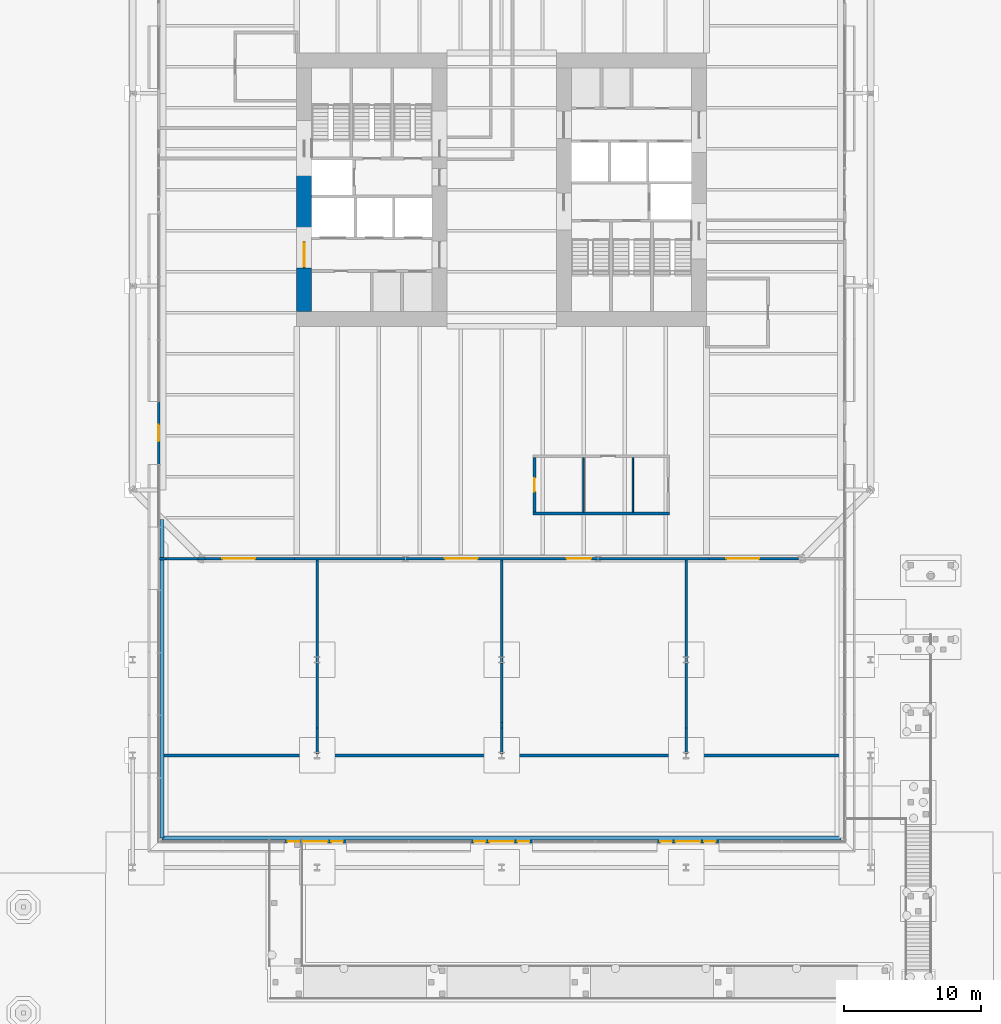
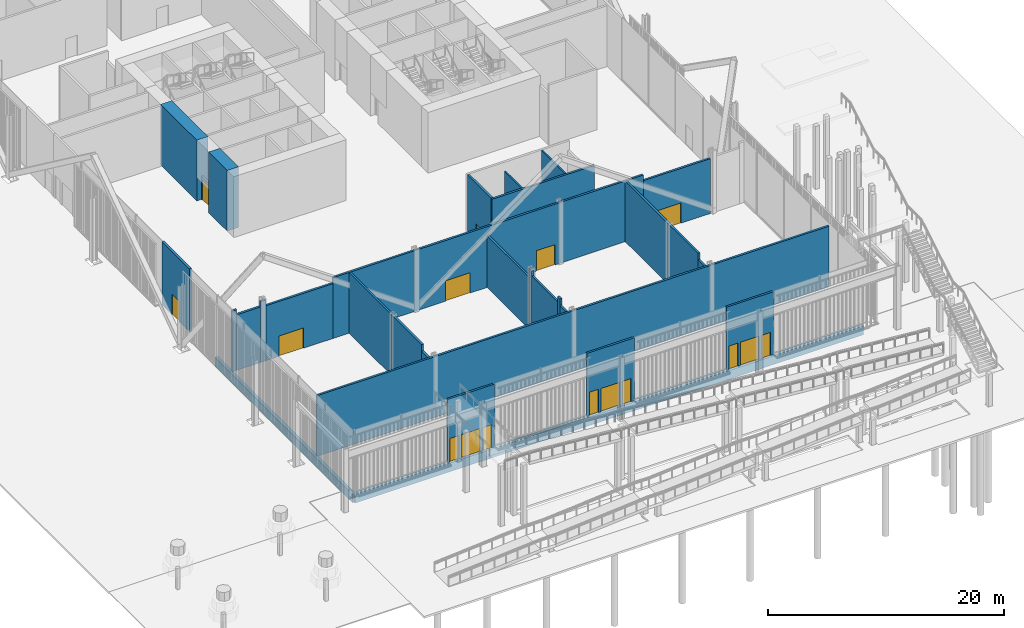
# One storey, part 14 of 28: 29 walls, 10 doors, 6 windows, 16 openings.
"""IFC4 building model written with IfcOpenShell, lengths in metres."""

from ifc_helpers import new_model, si_unit, direction, frame, frame_2d, origin, place, context, subcontext, project, spatial, rectangle, extrude, material, layer, layer_set, type_object, element, fill, save


model = new_model("IFC4")

# Units and contexts
model_context = context("Model", 3, precision=1e-05, world=origin(), true_north=direction((0.0, 1.0)))
body_context = subcontext(model_context, "Body", "Model", "MODEL_VIEW")
ifc_project = project(units=[si_unit("LENGTHUNIT", "METRE"), si_unit("AREAUNIT", "SQUARE_METRE"), si_unit("VOLUMEUNIT", "CUBIC_METRE"), si_unit("PLANEANGLEUNIT", "RADIAN"), si_unit("MASSUNIT", "GRAM", prefix="KILO")], contexts=[model_context])

# Site, building, storey
site_placement = place(None, origin())
site = spatial("IfcSite", under=ifc_project, at=site_placement, CompositionType="ELEMENT")
building_placement = place(site_placement, origin())
building = spatial("IfcBuilding", under=site, at=building_placement, Name="Millrace Tower", CompositionType="ELEMENT")
storey_placement = place(building_placement, origin())
storey = spatial("IfcBuildingStorey", under=building, at=storey_placement, Name="L01", CompositionType="ELEMENT", Elevation=0.0)

# Walls
ifc_material_1 = material(Name="Concrete C80", Category="concrete")
ifc_layer_1 = layer(ifc_material_1, 1.10009765625)
ifc_layer_set_1 = layer_set([ifc_layer_1], Name="Concrete C80")
wall_type_1 = type_object("IfcWallType", Name="Core wall 1100 Concrete C80", PredefinedType="SHEAR", material=ifc_layer_set_1)
wall_1_placement = place(storey_placement, frame((-14.449951171875, -8.89990234375, 0.0), z_axis=(0.0, 0.0, 1.0), x_axis=(0.0, 1.0, 0.0)))
element("IfcWall", 1, at=wall_1_placement, inside=storey, type_object=wall_type_1, Name="Core wall W L01", PredefinedType="SHEAR", context=body_context, shape_type="SweptSolid", body=[
    extrude(rectangle(XDim=3.14990234375, YDim=1.10009765625, at=frame_2d((1.574951171875, 0.0))), origin(), (0.0, 0.0, 1.0), 6.27490234375),
])
wall_2_placement = place(storey_placement, frame((-14.449951171875, -3.75, 0.0), z_axis=(0.0, 0.0, 1.0), x_axis=(0.0, 1.0, 0.0)))
element("IfcWall", 2, at=wall_2_placement, inside=storey, type_object=wall_type_1, Name="Core wall W L01", PredefinedType="SHEAR", context=body_context, shape_type="SweptSolid", body=[
    extrude(rectangle(XDim=6.1298828125, YDim=1.10009765625, at=frame_2d((3.06494140625, 0.0))), origin(), (0.0, 0.0, 1.0), 6.27490234375),
])
ifc_material_2 = material(Name="Masonry partition, fire-rated", Category="masonry")
ifc_layer_2 = layer(ifc_material_2, 0.199951171875)
ifc_layer_set_2 = layer_set([ifc_layer_2], Name="Masonry partition, fire-rated")
wall_type_2 = type_object("IfcWallType", Name="Corridor wall 200", PredefinedType="PARTITIONING", material=ifc_layer_set_2)
wall_3_placement = place(storey_placement, frame((-25.030029296875, -41.39990234375, 0.0), z_axis=(0.0, 0.0, 1.0), x_axis=(1.0, 0.0, 0.0)))
element("IfcWall", 3, at=wall_3_placement, inside=storey, type_object=wall_type_2, Name="Corridor wall L01", PredefinedType="PARTITIONING", context=body_context, shape_type="SweptSolid", body=[
    extrude(rectangle(XDim=50.06005859375, YDim=0.199951171875, at=frame_2d((25.030029296875, 0.0))), origin(), (0.0, 0.0, 1.0), 6.27490234375),
])
wall_4_placement = place(storey_placement, frame((-25.030029296875, -27.0, 0.0), z_axis=(0.0, 0.0, 1.0), x_axis=(1.0, 0.0, 0.0)))
element("IfcWall", 4, at=wall_4_placement, inside=storey, type_object=wall_type_2, Name="Corridor wall L01", PredefinedType="PARTITIONING", context=body_context, shape_type="SweptSolid", body=[
    extrude(rectangle(XDim=0.45166015625, YDim=0.199951171875, at=frame_2d((0.225830078125, 0.0))), origin(), (0.0, 0.0, 1.0), 6.27490234375),
])
wall_5_placement = place(storey_placement, frame((-24.578369140625, -27.0, 0.0), z_axis=(0.0, 0.0, 1.0), x_axis=(1.0, 0.0, 0.0)))
element("IfcWall", 5, at=wall_5_placement, inside=storey, type_object=wall_type_2, Name="Corridor wall L01", PredefinedType="PARTITIONING", context=body_context, shape_type="SweptSolid", body=[
    extrude(rectangle(XDim=2.343994140625, YDim=0.199951171875, at=frame_2d((1.171875, 0.0))), origin(), (0.0, 0.0, 1.0), 5.749267578125),
])
wall_6_placement = place(storey_placement, frame((-22.234375, -27.0, 0.0), z_axis=(0.0, 0.0, 1.0), x_axis=(1.0, 0.0, 0.0)))
element("IfcWall", 6, at=wall_6_placement, inside=storey, type_object=wall_type_2, Name="Corridor wall L01", PredefinedType="PARTITIONING", context=body_context, shape_type="SweptSolid", body=[
    extrude(rectangle(XDim=0.515869140625, YDim=0.199951171875, at=frame_2d((0.2578125, 0.0))), origin(), (0.0, 0.0, 1.0), 6.27490234375),
])

# Wall, opening, door
wall_7_placement = place(storey_placement, frame((-21.718505859375, -27.0, 0.0), z_axis=(0.0, 0.0, 1.0), x_axis=(1.0, 0.0, 0.0)))
wall_7 = element("IfcWall", 7, at=wall_7_placement, inside=storey, type_object=wall_type_2, Name="Corridor wall L01", PredefinedType="PARTITIONING", context=body_context, shape_type="SweptSolid", body=[
    extrude(rectangle(XDim=6.554443359375, YDim=0.199951171875, at=frame_2d((3.27734375, 0.0))), origin(), (0.0, 0.0, 1.0), 5.675537109375),
])
opening_1_placement = place(wall_7_placement, frame((1.2783203125, 0.0, 0.0)))
opening_1 = element("IfcOpeningElement", 8, at=opening_1_placement, cuts=wall_7, Name="Opening 01-P012", PredefinedType="OPENING", context=body_context, shape_type="SweptSolid", body=[
    extrude(rectangle(XDim=2.39990234375, YDim=2.10009765625, at=frame_2d((1.199951171875, 1.050048828125))), frame((0.0, 0.10986328125, 0.0), z_axis=(0.0, -1.0, 0.0), x_axis=(1.0, 0.0, 0.0)), (0.0, 0.0, 1.0), 0.219970703125),
])
ifc_material_3 = material(Name="Steel door set, fire-rated", Category="steel")
door_type_1 = type_object("IfcDoorType", Name="Corridor door 2400 x 2100", OperationType="DOUBLE_DOOR_SINGLE_SWING", PredefinedType="DOOR", material=ifc_material_3)
door_1_placement = place(opening_1_placement, origin())
door_1 = element("IfcDoor", 9, at=door_1_placement, inside=storey, type_object=door_type_1, Name="Door 01-P012", OperationType="DOUBLE_DOOR_SINGLE_SWING", OverallHeight=2.10009765625, OverallWidth=2.39990234375, PredefinedType="DOOR", context=body_context, shape_type="SweptSolid", body=[
    extrude(rectangle(XDim=2.39990234375, YDim=2.10009765625, at=frame_2d((1.199951171875, 1.050048828125))), frame((0.0, 0.02490234375, 0.0), z_axis=(0.0, -1.0, 0.0), x_axis=(1.0, 0.0, 0.0)), (0.0, 0.0, 1.0), 0.050048828125),
])
fill(opening_1, door_1)

# Wall, openings, doors
wall_8_placement = place(storey_placement, frame((-15.1640625, -27.0, 0.0), z_axis=(0.0, 0.0, 1.0), x_axis=(1.0, 0.0, 0.0)))
wall_8 = element("IfcWall", 10, at=wall_8_placement, inside=storey, type_object=wall_type_2, Name="Corridor wall L01", PredefinedType="PARTITIONING", context=body_context, shape_type="SweptSolid", body=[
    extrude(rectangle(XDim=30.328125, YDim=0.199951171875, at=frame_2d((15.1640625, 0.0))), origin(), (0.0, 0.0, 1.0), 6.27490234375),
])
opening_2_placement = place(wall_8_placement, frame((11.01416015625, 0.0, 0.0)))
opening_2 = element("IfcOpeningElement", 11, at=opening_2_placement, cuts=wall_8, Name="Opening 01-P013", PredefinedType="OPENING", context=body_context, shape_type="SweptSolid", body=[
    extrude(rectangle(XDim=2.39990234375, YDim=2.10009765625, at=frame_2d((1.199951171875, 1.050048828125))), frame((0.0, 0.10986328125, 0.0), z_axis=(0.0, -1.0, 0.0), x_axis=(1.0, 0.0, 0.0)), (0.0, 0.0, 1.0), 0.219970703125),
])
opening_3_placement = place(wall_8_placement, frame((19.9140625, 0.0, 0.0)))
opening_3 = element("IfcOpeningElement", 12, at=opening_3_placement, cuts=wall_8, Name="Opening 01-P014", PredefinedType="OPENING", context=body_context, shape_type="SweptSolid", body=[
    extrude(rectangle(XDim=1.800048828125, YDim=2.10009765625, at=frame_2d((0.89990234375, 1.050048828125))), frame((0.0, 0.10986328125, 0.0), z_axis=(0.0, -1.0, 0.0), x_axis=(1.0, 0.0, 0.0)), (0.0, 0.0, 1.0), 0.219970703125),
])
ifc_material_4 = material(Name="Steel door set, fire-rated", Category="steel")
door_type_2 = type_object("IfcDoorType", Name="Corridor door 1800 x 2100", OperationType="DOUBLE_DOOR_SINGLE_SWING", PredefinedType="DOOR", material=ifc_material_4)
door_2_placement = place(opening_3_placement, origin())
door_2 = element("IfcDoor", 13, at=door_2_placement, inside=storey, type_object=door_type_2, Name="Door 01-P014", OperationType="DOUBLE_DOOR_SINGLE_SWING", OverallHeight=2.10009765625, OverallWidth=1.800048828125, PredefinedType="DOOR", context=body_context, shape_type="SweptSolid", body=[
    extrude(rectangle(XDim=1.800048828125, YDim=2.10009765625, at=frame_2d((0.89990234375, 1.050048828125))), frame((0.0, 0.02490234375, 0.0), z_axis=(0.0, -1.0, 0.0), x_axis=(1.0, 0.0, 0.0)), (0.0, 0.0, 1.0), 0.050048828125),
])
fill(opening_3, door_2)
door_3_placement = place(opening_2_placement, origin())
door_3 = element("IfcDoor", 14, at=door_3_placement, inside=storey, type_object=door_type_1, Name="Door 01-P013", OperationType="DOUBLE_DOOR_SINGLE_SWING", OverallHeight=2.10009765625, OverallWidth=2.39990234375, PredefinedType="DOOR", context=body_context, shape_type="SweptSolid", body=[
    extrude(rectangle(XDim=2.39990234375, YDim=2.10009765625, at=frame_2d((1.199951171875, 1.050048828125))), frame((0.0, 0.02490234375, 0.0), z_axis=(0.0, -1.0, 0.0), x_axis=(1.0, 0.0, 0.0)), (0.0, 0.0, 1.0), 0.050048828125),
])
fill(opening_2, door_3)

# Wall, opening, door
wall_9_placement = place(storey_placement, frame((15.1640625, -27.0, 0.0), z_axis=(0.0, 0.0, 1.0), x_axis=(1.0, 0.0, 0.0)))
wall_9 = element("IfcWall", 15, at=wall_9_placement, inside=storey, type_object=wall_type_2, Name="Corridor wall L01", PredefinedType="PARTITIONING", context=body_context, shape_type="SweptSolid", body=[
    extrude(rectangle(XDim=6.554443359375, YDim=0.199951171875, at=frame_2d((3.27734375, 0.0))), origin(), (0.0, 0.0, 1.0), 5.675537109375),
])
opening_4_placement = place(wall_9_placement, frame((1.27587890625, 0.0, 0.0)))
opening_4 = element("IfcOpeningElement", 16, at=opening_4_placement, cuts=wall_9, Name="Opening 01-P015", PredefinedType="OPENING", context=body_context, shape_type="SweptSolid", body=[
    extrude(rectangle(XDim=2.39990234375, YDim=2.10009765625, at=frame_2d((1.199951171875, 1.050048828125))), frame((0.0, 0.10986328125, 0.0), z_axis=(0.0, -1.0, 0.0), x_axis=(1.0, 0.0, 0.0)), (0.0, 0.0, 1.0), 0.219970703125),
])
door_4_placement = place(opening_4_placement, origin())
door_4 = element("IfcDoor", 17, at=door_4_placement, inside=storey, type_object=door_type_1, Name="Door 01-P015", OperationType="DOUBLE_DOOR_SINGLE_SWING", OverallHeight=2.10009765625, OverallWidth=2.39990234375, PredefinedType="DOOR", context=body_context, shape_type="SweptSolid", body=[
    extrude(rectangle(XDim=2.39990234375, YDim=2.10009765625, at=frame_2d((1.199951171875, 1.050048828125))), frame((0.0, 0.02490234375, 0.0), z_axis=(0.0, -1.0, 0.0), x_axis=(1.0, 0.0, 0.0)), (0.0, 0.0, 1.0), 0.050048828125),
])
fill(opening_4, door_4)

# Walls
wall_10_placement = place(storey_placement, frame((2.300048828125, -23.699951171875, 0.0), z_axis=(0.0, 0.0, 1.0), x_axis=(1.0, 0.0, 0.0)))
element("IfcWall", 18, at=wall_10_placement, inside=storey, type_object=wall_type_2, Name="Corridor wall L01", PredefinedType="PARTITIONING", context=body_context, shape_type="SweptSolid", body=[
    extrude(rectangle(XDim=10.0, YDim=0.199951171875, at=frame_2d((5.0, 0.0))), origin(), (0.0, 0.0, 1.0), 6.27490234375),
])
wall_11_placement = place(storey_placement, frame((13.5, -41.300048828125, 0.0), z_axis=(0.0, 0.0, 1.0), x_axis=(0.0, 1.0, 0.0)))
element("IfcWall", 19, at=wall_11_placement, inside=storey, type_object=wall_type_2, Name="Corridor wall L01", PredefinedType="PARTITIONING", context=body_context, shape_type="SweptSolid", body=[
    extrude(rectangle(XDim=1.900146484375, YDim=0.199951171875, at=frame_2d((0.9501953125, 0.0))), origin(), (0.0, 0.0, 1.0), 5.5927734375),
])
wall_12_placement = place(storey_placement, frame((13.5, -39.39990234375, 0.0), z_axis=(0.0, 0.0, 1.0), x_axis=(0.0, 1.0, 0.0)))
element("IfcWall", 20, at=wall_12_placement, inside=storey, type_object=wall_type_2, Name="Corridor wall L01", PredefinedType="PARTITIONING", context=body_context, shape_type="SweptSolid", body=[
    extrude(rectangle(XDim=12.2998046875, YDim=0.199951171875, at=frame_2d((6.14990234375, 0.0))), origin(), (0.0, 0.0, 1.0), 6.27490234375),
])

# Wall, opening, door
wall_13_placement = place(storey_placement, frame((2.39990234375, -23.60009765625, 0.0), z_axis=(0.0, 0.0, 1.0), x_axis=(0.0, 1.0, 0.0)))
wall_13 = element("IfcWall", 21, at=wall_13_placement, inside=storey, type_object=wall_type_2, Name="Corridor wall L01", PredefinedType="PARTITIONING", context=body_context, shape_type="SweptSolid", body=[
    extrude(rectangle(XDim=4.0, YDim=0.199951171875, at=frame_2d((2.0, 0.0))), origin(), (0.0, 0.0, 1.0), 6.27490234375),
])
opening_5_placement = place(wall_13_placement, frame((1.5, 0.0, 0.0)))
opening_5 = element("IfcOpeningElement", 22, at=opening_5_placement, cuts=wall_13, Name="Opening 01-P009", PredefinedType="OPENING", context=body_context, shape_type="SweptSolid", body=[
    extrude(rectangle(XDim=1.0, YDim=2.10009765625, at=frame_2d((0.5, 1.050048828125))), frame((0.0, 0.10986328125, 0.0), z_axis=(0.0, -1.0, 0.0), x_axis=(1.0, 0.0, 0.0)), (0.0, 0.0, 1.0), 0.219970703125),
])
ifc_material_5 = material(Name="Steel door set, fire-rated", Category="steel")
door_type_3 = type_object("IfcDoorType", Name="Corridor door 1000 x 2100", OperationType="SINGLE_SWING_LEFT", PredefinedType="DOOR", material=ifc_material_5)
door_5_placement = place(opening_5_placement, frame((1.0, 0.0, 0.0), z_axis=(0.0, 0.0, 1.0), x_axis=(-1.0, 0.0, 0.0)))
door_5 = element("IfcDoor", 23, at=door_5_placement, inside=storey, type_object=door_type_3, Name="Door 01-P009", OperationType="SINGLE_SWING_LEFT", OverallHeight=2.10009765625, OverallWidth=1.0, PredefinedType="DOOR", context=body_context, shape_type="SweptSolid", body=[
    extrude(rectangle(XDim=1.0, YDim=2.10009765625, at=frame_2d((0.5, 1.050048828125))), frame((0.0, 0.02490234375, 0.0), z_axis=(0.0, -1.0, 0.0), x_axis=(1.0, 0.0, 0.0)), (0.0, 0.0, 1.0), 0.050048828125),
])
fill(opening_5, door_5)

# Walls
wall_14_placement = place(storey_placement, frame((0.0, -41.300048828125, 0.0), z_axis=(0.0, 0.0, 1.0), x_axis=(0.0, 1.0, 0.0)))
element("IfcWall", 24, at=wall_14_placement, inside=storey, type_object=wall_type_2, Name="Corridor wall L01", PredefinedType="PARTITIONING", context=body_context, shape_type="SweptSolid", body=[
    extrude(rectangle(XDim=1.900146484375, YDim=0.199951171875, at=frame_2d((0.9501953125, 0.0))), origin(), (0.0, 0.0, 1.0), 5.5927734375),
])
wall_15_placement = place(storey_placement, frame((0.0, -39.39990234375, 0.0), z_axis=(0.0, 0.0, 1.0), x_axis=(0.0, 1.0, 0.0)))
element("IfcWall", 25, at=wall_15_placement, inside=storey, type_object=wall_type_2, Name="Corridor wall L01", PredefinedType="PARTITIONING", context=body_context, shape_type="SweptSolid", body=[
    extrude(rectangle(XDim=0.421630859375, YDim=0.199951171875, at=frame_2d((0.2109375, 0.0))), origin(), (0.0, 0.0, 1.0), 6.27490234375),
])
wall_16_placement = place(storey_placement, frame((0.0, -38.978271484375, 0.0), z_axis=(0.0, 0.0, 1.0), x_axis=(0.0, 1.0, 0.0)))
element("IfcWall", 26, at=wall_16_placement, inside=storey, type_object=wall_type_2, Name="Corridor wall L01", PredefinedType="PARTITIONING", context=body_context, shape_type="SweptSolid", body=[
    extrude(rectangle(XDim=4.326171875, YDim=0.199951171875, at=frame_2d((2.1630859375, 0.0))), origin(), (0.0, 0.0, 1.0), 5.749267578125),
])
wall_17_placement = place(storey_placement, frame((0.0, -34.652099609375, 0.0), z_axis=(0.0, 0.0, 1.0), x_axis=(0.0, 1.0, 0.0)))
element("IfcWall", 27, at=wall_17_placement, inside=storey, type_object=wall_type_2, Name="Corridor wall L01", PredefinedType="PARTITIONING", context=body_context, shape_type="SweptSolid", body=[
    extrude(rectangle(XDim=0.504150390625, YDim=0.199951171875, at=frame_2d((0.251953125, 0.0))), origin(), (0.0, 0.0, 1.0), 6.27490234375),
])
wall_18_placement = place(storey_placement, frame((0.0, -34.14794921875, 0.0), z_axis=(0.0, 0.0, 1.0), x_axis=(0.0, 1.0, 0.0)))
element("IfcWall", 28, at=wall_18_placement, inside=storey, type_object=wall_type_2, Name="Corridor wall L01", PredefinedType="PARTITIONING", context=body_context, shape_type="SweptSolid", body=[
    extrude(rectangle(XDim=7.0478515625, YDim=0.199951171875, at=frame_2d((3.52392578125, 0.0))), origin(), (0.0, 0.0, 1.0), 5.347900390625),
])
wall_19_placement = place(storey_placement, frame((-13.5, -41.300048828125, 0.0), z_axis=(0.0, 0.0, 1.0), x_axis=(0.0, 1.0, 0.0)))
element("IfcWall", 29, at=wall_19_placement, inside=storey, type_object=wall_type_2, Name="Corridor wall L01", PredefinedType="PARTITIONING", context=body_context, shape_type="SweptSolid", body=[
    extrude(rectangle(XDim=1.900146484375, YDim=0.199951171875, at=frame_2d((0.9501953125, 0.0))), origin(), (0.0, 0.0, 1.0), 5.5927734375),
])
wall_20_placement = place(storey_placement, frame((-13.5, -39.39990234375, 0.0), z_axis=(0.0, 0.0, 1.0), x_axis=(0.0, 1.0, 0.0)))
element("IfcWall", 30, at=wall_20_placement, inside=storey, type_object=wall_type_2, Name="Corridor wall L01", PredefinedType="PARTITIONING", context=body_context, shape_type="SweptSolid", body=[
    extrude(rectangle(XDim=12.2998046875, YDim=0.199951171875, at=frame_2d((6.14990234375, 0.0))), origin(), (0.0, 0.0, 1.0), 6.27490234375),
])

# Wall, openings, windows, door
ifc_material_6 = material(Name="Aluminium framed glazing", Category="aluminium")
ifc_layer_3 = layer(ifc_material_6, 0.199951171875)
ifc_layer_set_3 = layer_set([ifc_layer_3], Name="Aluminium framed glazing")
wall_type_3 = type_object("IfcWallType", Name="Entrance infill wall 200 thick", PredefinedType="STANDARD", material=ifc_layer_set_3)
wall_21_placement = place(storey_placement, frame((-15.9091796875, -47.699951171875, 0.0), z_axis=(0.0, 0.0, 1.0), x_axis=(1.0, 0.0, 0.0)))
wall_21 = element("IfcWall", 31, at=wall_21_placement, inside=storey, type_object=wall_type_3, Name="Entrance infill wall AW1-F01 3", PredefinedType="STANDARD", context=body_context, shape_type="SweptSolid", body=[
    extrude(rectangle(XDim=4.62060546875, YDim=0.199951171875, at=frame_2d((2.310302734375, 0.0))), origin(), (0.0, 0.0, 1.0), 6.5),
])
opening_6_placement = place(wall_21_placement, frame((1.372802734375, 0.0, 0.0)))
opening_6 = element("IfcOpeningElement", 32, at=opening_6_placement, cuts=wall_21, Name="Opening 01-X001", PredefinedType="OPENING", context=body_context, shape_type="SweptSolid", body=[
    extrude(rectangle(XDim=1.800048828125, YDim=2.39990234375, at=frame_2d((0.89990234375, 1.199951171875))), frame((0.0, 0.10986328125, 0.0), z_axis=(0.0, -1.0, 0.0), x_axis=(1.0, 0.0, 0.0)), (0.0, 0.0, 1.0), 0.219970703125),
])
opening_7_placement = place(wall_21_placement, frame((0.25, 0.0, 0.0)))
opening_7 = element("IfcOpeningElement", 33, at=opening_7_placement, cuts=wall_21, Name="Opening WN1", PredefinedType="OPENING", context=body_context, shape_type="SweptSolid", body=[
    extrude(rectangle(XDim=0.85009765625, YDim=2.39990234375, at=frame_2d((0.425048828125, 1.199951171875))), frame((0.0, 0.10986328125, 0.0), z_axis=(0.0, -1.0, 0.0), x_axis=(1.0, 0.0, 0.0)), (0.0, 0.0, 1.0), 0.219970703125),
])
opening_8_placement = place(wall_21_placement, frame((3.445556640625, 0.0, 0.0)))
opening_8 = element("IfcOpeningElement", 34, at=opening_8_placement, cuts=wall_21, Name="Opening WN1", PredefinedType="OPENING", context=body_context, shape_type="SweptSolid", body=[
    extrude(rectangle(XDim=0.85009765625, YDim=2.39990234375, at=frame_2d((0.425048828125, 1.199951171875))), frame((0.0, 0.10986328125, 0.0), z_axis=(0.0, -1.0, 0.0), x_axis=(1.0, 0.0, 0.0)), (0.0, 0.0, 1.0), 0.219970703125),
])
ifc_material_7 = material(Name="Aluminium and laminated glass", Category="aluminium")
window_type = type_object("IfcWindowType", Name="Entrance sidelight window 850 x 2400", PartitioningType="SINGLE_PANEL", PredefinedType="WINDOW", material=ifc_material_7)
window_1_placement = place(opening_7_placement, origin())
window_1 = element("IfcWindow", 35, at=window_1_placement, inside=storey, type_object=window_type, Name="Entrance sidelight window AW1-F01.3 W", OverallHeight=2.39990234375, OverallWidth=0.85009765625, PartitioningType="SINGLE_PANEL", PredefinedType="WINDOW", context=body_context, shape_type="SweptSolid", body=[
    extrude(rectangle(XDim=0.85009765625, YDim=2.39990234375, at=frame_2d((0.425048828125, 1.199951171875))), frame((0.0, 0.030029296875, 0.0), z_axis=(0.0, -1.0, 0.0), x_axis=(1.0, 0.0, 0.0)), (0.0, 0.0, 1.0), 0.06005859375),
])
fill(opening_7, window_1)
window_2_placement = place(opening_8_placement, origin())
window_2 = element("IfcWindow", 36, at=window_2_placement, inside=storey, type_object=window_type, Name="Entrance sidelight window AW1-F01.3 E", OverallHeight=2.39990234375, OverallWidth=0.85009765625, PartitioningType="SINGLE_PANEL", PredefinedType="WINDOW", context=body_context, shape_type="SweptSolid", body=[
    extrude(rectangle(XDim=0.85009765625, YDim=2.39990234375, at=frame_2d((0.425048828125, 1.199951171875))), frame((0.0, 0.030029296875, 0.0), z_axis=(0.0, -1.0, 0.0), x_axis=(1.0, 0.0, 0.0)), (0.0, 0.0, 1.0), 0.06005859375),
])
fill(opening_8, window_2)
ifc_material_8 = material(Name="Aluminium and glass", Category="aluminium")
door_type_4 = type_object("IfcDoorType", Name="Garden pavilion double door", OperationType="DOUBLE_DOOR_DOUBLE_SWING", PredefinedType="DOOR", material=ifc_material_8)
door_6_placement = place(opening_6_placement, frame((1.800048828125, 0.0, 0.0), z_axis=(0.0, 0.0, 1.0), x_axis=(-1.0, 0.0, 0.0)))
door_6 = element("IfcDoor", 37, at=door_6_placement, inside=storey, type_object=door_type_4, Name="01-X001", OperationType="DOUBLE_DOOR_DOUBLE_SWING", OverallHeight=2.39990234375, OverallWidth=1.800048828125, PredefinedType="DOOR", context=body_context, shape_type="SweptSolid", body=[
    extrude(rectangle(XDim=1.800048828125, YDim=2.39990234375, at=frame_2d((0.89990234375, 1.199951171875))), frame((0.0, 0.02490234375, 0.0), z_axis=(0.0, -1.0, 0.0), x_axis=(1.0, 0.0, 0.0)), (0.0, 0.0, 1.0), 0.050048828125),
])
fill(opening_6, door_6)

wall_22_placement = place(storey_placement, frame((-2.272705078125, -47.699951171875, 0.0), z_axis=(0.0, 0.0, 1.0), x_axis=(1.0, 0.0, 0.0)))
wall_22 = element("IfcWall", 38, at=wall_22_placement, inside=storey, type_object=wall_type_3, Name="Entrance infill wall AW1-F01 6", PredefinedType="STANDARD", context=body_context, shape_type="SweptSolid", body=[
    extrude(rectangle(XDim=4.620361328125, YDim=0.199951171875, at=frame_2d((2.31005859375, 0.0))), origin(), (0.0, 0.0, 1.0), 6.5),
])
opening_9_placement = place(wall_22_placement, frame((1.372802734375, 0.0, 0.0)))
opening_9 = element("IfcOpeningElement", 39, at=opening_9_placement, cuts=wall_22, Name="Opening 01-X002", PredefinedType="OPENING", context=body_context, shape_type="SweptSolid", body=[
    extrude(rectangle(XDim=1.800048828125, YDim=2.39990234375, at=frame_2d((0.89990234375, 1.199951171875))), frame((0.0, 0.10986328125, 0.0), z_axis=(0.0, -1.0, 0.0), x_axis=(1.0, 0.0, 0.0)), (0.0, 0.0, 1.0), 0.219970703125),
])
opening_10_placement = place(wall_22_placement, frame((0.25, 0.0, 0.0)))
opening_10 = element("IfcOpeningElement", 40, at=opening_10_placement, cuts=wall_22, Name="Opening WN1", PredefinedType="OPENING", context=body_context, shape_type="SweptSolid", body=[
    extrude(rectangle(XDim=0.85009765625, YDim=2.39990234375, at=frame_2d((0.425048828125, 1.199951171875))), frame((0.0, 0.10986328125, 0.0), z_axis=(0.0, -1.0, 0.0), x_axis=(1.0, 0.0, 0.0)), (0.0, 0.0, 1.0), 0.219970703125),
])
opening_11_placement = place(wall_22_placement, frame((3.445556640625, 0.0, 0.0)))
opening_11 = element("IfcOpeningElement", 41, at=opening_11_placement, cuts=wall_22, Name="Opening WN1", PredefinedType="OPENING", context=body_context, shape_type="SweptSolid", body=[
    extrude(rectangle(XDim=0.85009765625, YDim=2.39990234375, at=frame_2d((0.425048828125, 1.199951171875))), frame((0.0, 0.10986328125, 0.0), z_axis=(0.0, -1.0, 0.0), x_axis=(1.0, 0.0, 0.0)), (0.0, 0.0, 1.0), 0.219970703125),
])
window_3_placement = place(opening_10_placement, origin())
window_3 = element("IfcWindow", 42, at=window_3_placement, inside=storey, type_object=window_type, Name="Entrance sidelight window AW1-F01.6 W", OverallHeight=2.39990234375, OverallWidth=0.85009765625, PartitioningType="SINGLE_PANEL", PredefinedType="WINDOW", context=body_context, shape_type="SweptSolid", body=[
    extrude(rectangle(XDim=0.85009765625, YDim=2.39990234375, at=frame_2d((0.425048828125, 1.199951171875))), frame((0.0, 0.030029296875, 0.0), z_axis=(0.0, -1.0, 0.0), x_axis=(1.0, 0.0, 0.0)), (0.0, 0.0, 1.0), 0.06005859375),
])
fill(opening_10, window_3)
window_4_placement = place(opening_11_placement, origin())
window_4 = element("IfcWindow", 43, at=window_4_placement, inside=storey, type_object=window_type, Name="Entrance sidelight window AW1-F01.6 E", OverallHeight=2.39990234375, OverallWidth=0.85009765625, PartitioningType="SINGLE_PANEL", PredefinedType="WINDOW", context=body_context, shape_type="SweptSolid", body=[
    extrude(rectangle(XDim=0.85009765625, YDim=2.39990234375, at=frame_2d((0.425048828125, 1.199951171875))), frame((0.0, 0.030029296875, 0.0), z_axis=(0.0, -1.0, 0.0), x_axis=(1.0, 0.0, 0.0)), (0.0, 0.0, 1.0), 0.06005859375),
])
fill(opening_11, window_4)
door_7_placement = place(opening_9_placement, frame((1.800048828125, 0.0, 0.0), z_axis=(0.0, 0.0, 1.0), x_axis=(-1.0, 0.0, 0.0)))
door_7 = element("IfcDoor", 44, at=door_7_placement, inside=storey, type_object=door_type_4, Name="01-X002", OperationType="DOUBLE_DOOR_DOUBLE_SWING", OverallHeight=2.39990234375, OverallWidth=1.800048828125, PredefinedType="DOOR", context=body_context, shape_type="SweptSolid", body=[
    extrude(rectangle(XDim=1.800048828125, YDim=2.39990234375, at=frame_2d((0.89990234375, 1.199951171875))), frame((0.0, 0.02490234375, 0.0), z_axis=(0.0, -1.0, 0.0), x_axis=(1.0, 0.0, 0.0)), (0.0, 0.0, 1.0), 0.050048828125),
])
fill(opening_9, door_7)

wall_23_placement = place(storey_placement, frame((11.363525390625, -47.699951171875, 0.0), z_axis=(0.0, 0.0, 1.0), x_axis=(1.0, 0.0, 0.0)))
wall_23 = element("IfcWall", 45, at=wall_23_placement, inside=storey, type_object=wall_type_3, Name="Entrance infill wall AW1-F01 9", PredefinedType="STANDARD", context=body_context, shape_type="SweptSolid", body=[
    extrude(rectangle(XDim=4.62060546875, YDim=0.199951171875, at=frame_2d((2.310302734375, 0.0))), origin(), (0.0, 0.0, 1.0), 6.5),
])
opening_12_placement = place(wall_23_placement, frame((1.372802734375, 0.0, 0.0)))
opening_12 = element("IfcOpeningElement", 46, at=opening_12_placement, cuts=wall_23, Name="Opening 01-X003", PredefinedType="OPENING", context=body_context, shape_type="SweptSolid", body=[
    extrude(rectangle(XDim=1.800048828125, YDim=2.39990234375, at=frame_2d((0.89990234375, 1.199951171875))), frame((0.0, 0.10986328125, 0.0), z_axis=(0.0, -1.0, 0.0), x_axis=(1.0, 0.0, 0.0)), (0.0, 0.0, 1.0), 0.219970703125),
])
opening_13_placement = place(wall_23_placement, frame((0.25, 0.0, 0.0)))
opening_13 = element("IfcOpeningElement", 47, at=opening_13_placement, cuts=wall_23, Name="Opening WN1", PredefinedType="OPENING", context=body_context, shape_type="SweptSolid", body=[
    extrude(rectangle(XDim=0.85009765625, YDim=2.39990234375, at=frame_2d((0.425048828125, 1.199951171875))), frame((0.0, 0.10986328125, 0.0), z_axis=(0.0, -1.0, 0.0), x_axis=(1.0, 0.0, 0.0)), (0.0, 0.0, 1.0), 0.219970703125),
])
opening_14_placement = place(wall_23_placement, frame((3.445556640625, 0.0, 0.0)))
opening_14 = element("IfcOpeningElement", 48, at=opening_14_placement, cuts=wall_23, Name="Opening WN1", PredefinedType="OPENING", context=body_context, shape_type="SweptSolid", body=[
    extrude(rectangle(XDim=0.85009765625, YDim=2.39990234375, at=frame_2d((0.425048828125, 1.199951171875))), frame((0.0, 0.10986328125, 0.0), z_axis=(0.0, -1.0, 0.0), x_axis=(1.0, 0.0, 0.0)), (0.0, 0.0, 1.0), 0.219970703125),
])
window_5_placement = place(opening_13_placement, origin())
window_5 = element("IfcWindow", 49, at=window_5_placement, inside=storey, type_object=window_type, Name="Entrance sidelight window AW1-F01.9 W", OverallHeight=2.39990234375, OverallWidth=0.85009765625, PartitioningType="SINGLE_PANEL", PredefinedType="WINDOW", context=body_context, shape_type="SweptSolid", body=[
    extrude(rectangle(XDim=0.85009765625, YDim=2.39990234375, at=frame_2d((0.425048828125, 1.199951171875))), frame((0.0, 0.030029296875, 0.0), z_axis=(0.0, -1.0, 0.0), x_axis=(1.0, 0.0, 0.0)), (0.0, 0.0, 1.0), 0.06005859375),
])
fill(opening_13, window_5)
window_6_placement = place(opening_14_placement, origin())
window_6 = element("IfcWindow", 50, at=window_6_placement, inside=storey, type_object=window_type, Name="Entrance sidelight window AW1-F01.9 E", OverallHeight=2.39990234375, OverallWidth=0.85009765625, PartitioningType="SINGLE_PANEL", PredefinedType="WINDOW", context=body_context, shape_type="SweptSolid", body=[
    extrude(rectangle(XDim=0.85009765625, YDim=2.39990234375, at=frame_2d((0.425048828125, 1.199951171875))), frame((0.0, 0.030029296875, 0.0), z_axis=(0.0, -1.0, 0.0), x_axis=(1.0, 0.0, 0.0)), (0.0, 0.0, 1.0), 0.06005859375),
])
fill(opening_14, window_6)
door_8_placement = place(opening_12_placement, frame((1.800048828125, 0.0, 0.0), z_axis=(0.0, 0.0, 1.0), x_axis=(-1.0, 0.0, 0.0)))
door_8 = element("IfcDoor", 51, at=door_8_placement, inside=storey, type_object=door_type_4, Name="01-X003", OperationType="DOUBLE_DOOR_DOUBLE_SWING", OverallHeight=2.39990234375, OverallWidth=1.800048828125, PredefinedType="DOOR", context=body_context, shape_type="SweptSolid", body=[
    extrude(rectangle(XDim=1.800048828125, YDim=2.39990234375, at=frame_2d((0.89990234375, 1.199951171875))), frame((0.0, 0.02490234375, 0.0), z_axis=(0.0, -1.0, 0.0), x_axis=(1.0, 0.0, 0.0)), (0.0, 0.0, 1.0), 0.050048828125),
])
fill(opening_12, door_8)

# Wall, opening, door
wall_24_placement = place(storey_placement, frame((-25.10009765625, -15.5166015625, 0.0), z_axis=(0.0, 0.0, 1.0), x_axis=(0.0, -1.0, 0.0)))
wall_24 = element("IfcWall", 52, at=wall_24_placement, inside=storey, type_object=wall_type_3, Name="Entrance infill wall AW1-F06 9", PredefinedType="STANDARD", context=body_context, shape_type="SweptSolid", body=[
    extrude(rectangle(XDim=4.658447265625, YDim=0.199951171875, at=frame_2d((2.3291015625, 0.0))), origin(), (0.0, 0.0, 1.0), 6.5),
])
opening_15_placement = place(wall_24_placement, frame((1.691650390625, 0.0, 0.0)))
opening_15 = element("IfcOpeningElement", 53, at=opening_15_placement, cuts=wall_24, Name="Opening 01-X016", PredefinedType="OPENING", context=body_context, shape_type="SweptSolid", body=[
    extrude(rectangle(XDim=1.199951171875, YDim=2.10009765625, at=frame_2d((0.60009765625, 1.050048828125))), frame((0.0, 0.10986328125, 0.0), z_axis=(0.0, -1.0, 0.0), x_axis=(1.0, 0.0, 0.0)), (0.0, 0.0, 1.0), 0.219970703125),
])
ifc_material_9 = material(Name="Steel", Category="steel")
door_type_5 = type_object("IfcDoorType", Name="Exit door to the plaza", OperationType="SINGLE_SWING_RIGHT", PredefinedType="DOOR", material=ifc_material_9)
door_9_placement = place(opening_15_placement, frame((1.199951171875, 0.0, 0.0), z_axis=(0.0, 0.0, 1.0), x_axis=(-1.0, 0.0, 0.0)))
door_9 = element("IfcDoor", 54, at=door_9_placement, inside=storey, type_object=door_type_5, Name="01-X016", OperationType="SINGLE_SWING_RIGHT", OverallHeight=2.10009765625, OverallWidth=1.199951171875, PredefinedType="DOOR", context=body_context, shape_type="SweptSolid", body=[
    extrude(rectangle(XDim=1.199951171875, YDim=2.10009765625, at=frame_2d((0.60009765625, 1.050048828125))), frame((0.0, 0.02490234375, 0.0), z_axis=(0.0, -1.0, 0.0), x_axis=(1.0, 0.0, 0.0)), (0.0, 0.0, 1.0), 0.050048828125),
])
fill(opening_15, door_9)

# Walls
ifc_material_10 = material(Name="Concrete C35", Category="concrete")
ifc_layer_4 = layer(ifc_material_10, 0.300048828125)
ifc_layer_set_4 = layer_set([ifc_layer_4], Name="Concrete C35")
wall_type_4 = type_object("IfcWallType", Name="Frost wall 300 mm", PredefinedType="SOLIDWALL", material=ifc_layer_set_4)
wall_25_placement = place(storey_placement, frame((-24.85009765625, -47.449951171875, -1.199951171875), z_axis=(0.0, 0.0, 1.0), x_axis=(0.0, 1.0, 0.0)))
element("IfcWall", 55, at=wall_25_placement, inside=storey, type_object=wall_type_4, Name="BW-A-L01-F01", PredefinedType="SOLIDWALL", context=body_context, shape_type="SweptSolid", body=[
    extrude(rectangle(XDim=23.321533203125, YDim=0.300048828125, at=frame_2d((11.66064453125, 0.0))), origin(), (0.0, 0.0, 1.0), 0.89990234375),
])
wall_26_placement = place(storey_placement, frame((24.85009765625, -47.449951171875, -1.199951171875), z_axis=(0.0, 0.0, 1.0), x_axis=(-1.0, 0.0, 0.0)))
element("IfcWall", 56, at=wall_26_placement, inside=storey, type_object=wall_type_4, Name="BW-A-L01-F03", PredefinedType="SOLIDWALL", context=body_context, shape_type="SweptSolid", body=[
    extrude(rectangle(XDim=49.7001953125, YDim=0.300048828125, at=frame_2d((24.85009765625, 0.0))), origin(), (0.0, 0.0, 1.0), 0.89990234375),
])

# Wall, opening, door
ifc_material_11 = material(Name="Masonry partition, fire-rated", Category="masonry")
ifc_layer_5 = layer(ifc_material_11, 0.199951171875)
ifc_layer_set_5 = layer_set([ifc_layer_5], Name="Masonry partition, fire-rated")
wall_type_5 = type_object("IfcWallType", Name="Lobby wall 200", PredefinedType="PARTITIONING", material=ifc_layer_set_5)
wall_27_placement = place(storey_placement, frame((-14.449951171875, -5.75, 0.0), z_axis=(0.0, 0.0, 1.0), x_axis=(0.0, 1.0, 0.0)))
wall_27 = element("IfcWall", 57, at=wall_27_placement, inside=storey, type_object=wall_type_5, Name="Lobby wall W L01", PredefinedType="PARTITIONING", context=body_context, shape_type="SweptSolid", body=[
    extrude(rectangle(XDim=2.0, YDim=0.199951171875, at=frame_2d((1.0, 0.0))), origin(), (0.0, 0.0, 1.0), 2.39990234375),
])
opening_16_placement = place(wall_27_placement, frame((0.10009765625, 0.0, 0.0)))
opening_16 = element("IfcOpeningElement", 58, at=opening_16_placement, cuts=wall_27, Name="Opening 01-C001", PredefinedType="OPENING", context=body_context, shape_type="SweptSolid", body=[
    extrude(rectangle(XDim=1.800048828125, YDim=2.10009765625, at=frame_2d((0.89990234375, 1.050048828125))), frame((0.0, 0.10986328125, 0.0), z_axis=(0.0, -1.0, 0.0), x_axis=(1.0, 0.0, 0.0)), (0.0, 0.0, 1.0), 0.219970703125),
])
ifc_material_12 = material(Name="Steel door, fire-rated", Category="steel")
door_type_6 = type_object("IfcDoorType", Name="Lobby door 1800 x 2100", OperationType="DOUBLE_DOOR_SINGLE_SWING", PredefinedType="DOOR", material=ifc_material_12)
door_10_placement = place(opening_16_placement, origin())
door_10 = element("IfcDoor", 59, at=door_10_placement, inside=storey, type_object=door_type_6, Name="Lobby door 01-C001", OperationType="DOUBLE_DOOR_SINGLE_SWING", OverallHeight=2.10009765625, OverallWidth=1.800048828125, PredefinedType="DOOR", context=body_context, shape_type="SweptSolid", body=[
    extrude(rectangle(XDim=1.800048828125, YDim=2.10009765625, at=frame_2d((0.89990234375, 1.050048828125))), frame((0.0, 0.02490234375, 0.0), z_axis=(0.0, -1.0, 0.0), x_axis=(1.0, 0.0, 0.0)), (0.0, 0.0, 1.0), 0.050048828125),
])
fill(opening_16, door_10)

# Walls
ifc_material_13 = material(Name="Gypsum board partition")
ifc_layer_6 = layer(ifc_material_13, 0.1201171875)
ifc_layer_set_6 = layer_set([ifc_layer_6], Name="Gypsum board partition")
wall_type_6 = type_object("IfcWallType", Name="Partition wall 120", PredefinedType="PARTITIONING", material=ifc_layer_set_6)
wall_28_placement = place(storey_placement, frame((9.60009765625, -23.60009765625, 0.0), z_axis=(0.0, 0.0, 1.0), x_axis=(0.0, 1.0, 0.0)))
element("IfcWall", 60, at=wall_28_placement, inside=storey, type_object=wall_type_6, Name="Partition wall L01", PredefinedType="PARTITIONING", context=body_context, shape_type="SweptSolid", body=[
    extrude(rectangle(XDim=4.0, YDim=0.1201171875, at=frame_2d((2.0, 0.0))), origin(), (0.0, 0.0, 1.0), 6.27490234375),
])
wall_29_placement = place(storey_placement, frame((6.0, -23.60009765625, 0.0), z_axis=(0.0, 0.0, 1.0), x_axis=(0.0, 1.0, 0.0)))
element("IfcWall", 61, at=wall_29_placement, inside=storey, type_object=wall_type_6, Name="Partition wall L01", PredefinedType="PARTITIONING", context=body_context, shape_type="SweptSolid", body=[
    extrude(rectangle(XDim=4.0, YDim=0.1201171875, at=frame_2d((2.0, 0.0))), origin(), (0.0, 0.0, 1.0), 5.347900390625),
])

save(model, "model.ifc")
